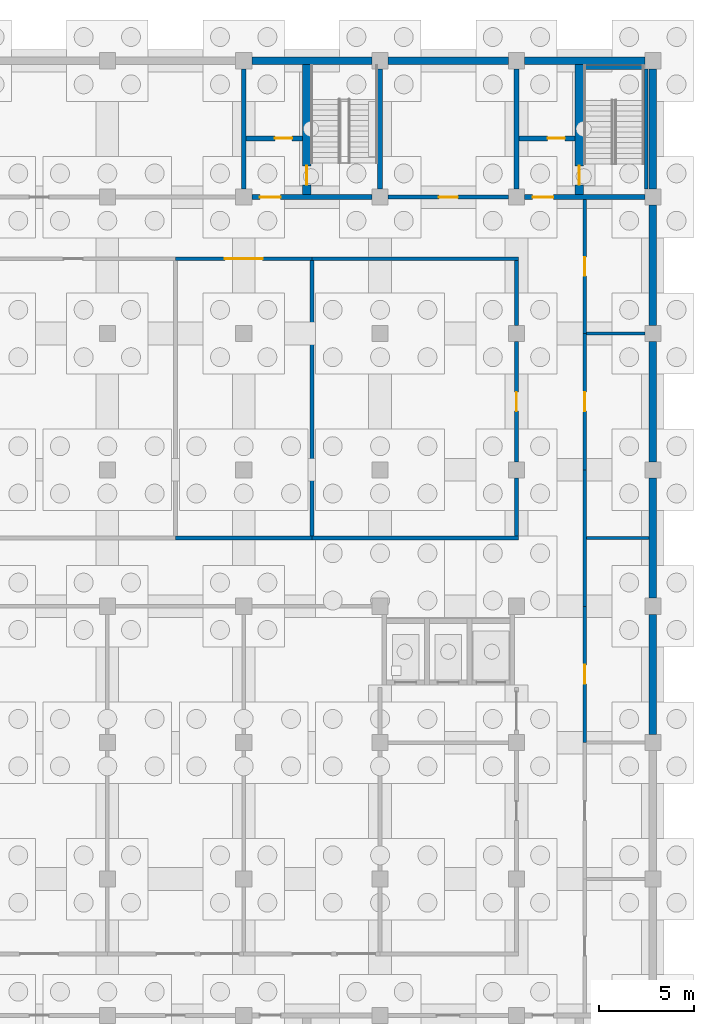
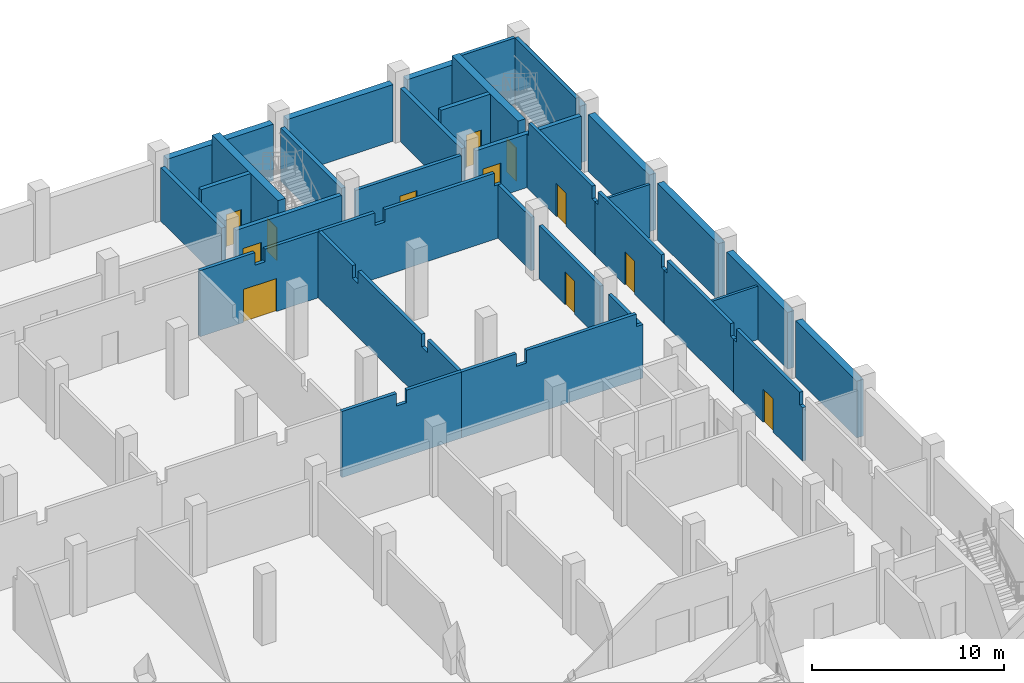
# One storey, part 13 of 19: 34 walls, 12 doors, 12 openings.
"""IFC4 building model written with IfcOpenShell, lengths in metres."""

from ifc_helpers import new_model, si_unit, direction, frame, frame_2d, origin, place, context, subcontext, project, spatial, polyline, rectangle, outline, extrude, material, layer, layer_set, type_object, element, fill, save


model = new_model("IFC4")

# Units and contexts
model_context = context("Model", 3, precision=1e-05, world=origin(), true_north=direction((0.0, 1.0)))
body_context = subcontext(model_context, "Body", "Model", "MODEL_VIEW")
ifc_project = project(units=[si_unit("LENGTHUNIT", "METRE"), si_unit("AREAUNIT", "SQUARE_METRE"), si_unit("VOLUMEUNIT", "CUBIC_METRE"), si_unit("PLANEANGLEUNIT", "RADIAN"), si_unit("MASSUNIT", "GRAM", prefix="KILO")], contexts=[model_context])

# Site, building, storey
site_placement = place(None, origin())
site = spatial("IfcSite", under=ifc_project, at=site_placement, CompositionType="ELEMENT")
building_placement = place(site_placement, origin())
building = spatial("IfcBuilding", under=site, at=building_placement, Name="Silangan Lancet Faculty of Sciences", CompositionType="ELEMENT")
storey_placement = place(building_placement, frame((0.0, 0.0, -4.5)))
storey = spatial("IfcBuildingStorey", under=building, at=storey_placement, Name="B1", CompositionType="ELEMENT", Elevation=-4.5)

# Walls
ifc_material_1 = material(Name="Hollow block masonry fm 7 MPa", Category="masonry")
ifc_layer_1 = layer(ifc_material_1, 0.199951171875)
ifc_layer_set_1 = layer_set([ifc_layer_1], Name="Hollow block masonry fm 7 MPa")
wall_type_1 = type_object("IfcWallType", Name="Interior wall PW1 Corridor wall CHB 200", PredefinedType="PARTITIONING", material=ifc_layer_set_1)
for number, where, z_axis, x_axis, name in (
    (1, (68.39990234375, 32.39990234375, 0.0), (0.0, 0.0, 1.0), (1.0, 0.0, 0.0), "Corridor wall CHB 200"),
    (2, (68.39990234375, 47.14990234375, 0.0), (0.0, 0.0, 1.0), (1.0, 0.0, 0.0), "Corridor wall CHB 200"),
):
    element("IfcWall", number, at=place(storey_placement, frame(where, z_axis=z_axis, x_axis=x_axis)), inside=storey, type_object=wall_type_1, Name=name, PredefinedType="PARTITIONING", context=body_context, shape_type="SweptSolid", body=[
        extrude(outline(polyline([(0.0, 0.0), (10.900146484375, 0.0), (10.900146484375, 3.39990234375), (10.5, 3.39990234375), (10.5, 4.199951171875), (3.900146484375, 4.199951171875), (3.900146484375, 3.39990234375), (3.300048828125, 3.39990234375), (3.300048828125, 4.199951171875), (0.0, 4.199951171875), (0.0, 0.0)])), frame((0.0, 0.10009765625, 0.0), z_axis=(0.0, -1.0, 0.0), x_axis=(1.0, 0.0, 0.0)), (0.0, 0.0, 1.0), 0.199951171875),
    ])

# Wall, opening, door
wall_1_placement = place(storey_placement, frame((72.425048828125, 50.39990234375, 0.0), z_axis=(0.0, 0.0, 1.0), x_axis=(1.0, 0.0, 0.0)))
wall_1 = element("IfcWall", 3, at=wall_1_placement, inside=storey, type_object=wall_type_1, Name="Corridor wall CHB 200", PredefinedType="PARTITIONING", context=body_context, shape_type="SweptSolid", body=[
    extrude(rectangle(XDim=6.349853515625, YDim=0.199951171875, at=frame_2d((3.1748046875, 0.0))), origin(), (0.0, 0.0, 1.0), 3.39990234375),
])
opening_1_placement = place(wall_1_placement, frame((2.675048828125, 0.0, 0.0)))
opening_1 = element("IfcOpeningElement", 4, at=opening_1_placement, cuts=wall_1, Name="Opening B1-043", PredefinedType="OPENING", context=body_context, shape_type="SweptSolid", body=[
    extrude(rectangle(XDim=1.0, YDim=2.10009765625, at=frame_2d((0.5, 1.050048828125))), frame((0.0, 0.10986328125, 0.0), z_axis=(0.0, -1.0, 0.0), x_axis=(1.0, 0.0, 0.0)), (0.0, 0.0, 1.0), 0.219970703125),
])
ifc_material_2 = material(Name="Steel fire door set", Category="steel")
door_type_1 = type_object("IfcDoorType", Name="Door D1 Single leaf fire door 1000 x 2100", OperationType="SINGLE_SWING_LEFT", PredefinedType="DOOR", material=ifc_material_2)
door_1_placement = place(opening_1_placement, origin())
door_1 = element("IfcDoor", 5, at=door_1_placement, inside=storey, type_object=door_type_1, Name="Single leaf fire door 1000 x 2100", OperationType="SINGLE_SWING_LEFT", OverallHeight=2.10009765625, OverallWidth=1.0, PredefinedType="DOOR", context=body_context, shape_type="SweptSolid", body=[
    extrude(rectangle(XDim=1.0, YDim=2.10009765625, at=frame_2d((0.5, 1.050048828125))), frame((0.0, 0.02490234375, 0.0), z_axis=(0.0, -1.0, 0.0), x_axis=(1.0, 0.0, 0.0)), (0.0, 0.0, 1.0), 0.050048828125),
])
fill(opening_1, door_1)

# Wall
wall_2_placement = place(storey_placement, frame((79.199951171875, 32.5, 0.0), z_axis=(0.0, 0.0, 1.0), x_axis=(0.0, 1.0, 0.0)))
element("IfcWall", 6, at=wall_2_placement, inside=storey, type_object=wall_type_1, Name="Corridor wall CHB 200", PredefinedType="PARTITIONING", context=body_context, shape_type="SweptSolid", body=[
    extrude(rectangle(XDim=3.074951171875, YDim=0.199951171875, at=frame_2d((1.53759765625, 0.0))), origin(), (0.0, 0.0, 1.0), 3.39990234375),
])

# Wall, opening, door
wall_3_placement = place(storey_placement, frame((79.199951171875, 36.425048828125, 0.0), z_axis=(0.0, 0.0, 1.0), x_axis=(0.0, 1.0, 0.0)))
wall_3 = element("IfcWall", 7, at=wall_3_placement, inside=storey, type_object=wall_type_1, Name="Corridor wall CHB 200", PredefinedType="PARTITIONING", context=body_context, shape_type="SweptSolid", body=[
    extrude(rectangle(XDim=6.349853515625, YDim=0.199951171875, at=frame_2d((3.1748046875, 0.0))), origin(), (0.0, 0.0, 1.0), 3.39990234375),
])
opening_2_placement = place(wall_3_placement, frame((2.675048828125, 0.0, 0.0)))
opening_2 = element("IfcOpeningElement", 8, at=opening_2_placement, cuts=wall_3, Name="Opening B1-030", PredefinedType="OPENING", context=body_context, shape_type="SweptSolid", body=[
    extrude(rectangle(XDim=1.0, YDim=2.10009765625, at=frame_2d((0.5, 1.050048828125))), frame((0.0, 0.10986328125, 0.0), z_axis=(0.0, -1.0, 0.0), x_axis=(1.0, 0.0, 0.0)), (0.0, 0.0, 1.0), 0.219970703125),
])
door_2_placement = place(opening_2_placement, origin())
door_2 = element("IfcDoor", 9, at=door_2_placement, inside=storey, type_object=door_type_1, Name="Single leaf fire door 1000 x 2100", OperationType="SINGLE_SWING_RIGHT", OverallHeight=2.10009765625, OverallWidth=1.0, PredefinedType="DOOR", context=body_context, shape_type="SweptSolid", body=[
    extrude(rectangle(XDim=1.0, YDim=2.10009765625, at=frame_2d((0.5, 1.050048828125))), frame((0.0, 0.02490234375, 0.0), z_axis=(0.0, -1.0, 0.0), x_axis=(1.0, 0.0, 0.0)), (0.0, 0.0, 1.0), 0.050048828125),
])
fill(opening_2, door_2)

# Wall
wall_4_placement = place(storey_placement, frame((79.199951171875, 43.625, 0.0), z_axis=(0.0, 0.0, 1.0), x_axis=(0.0, 1.0, 0.0)))
element("IfcWall", 10, at=wall_4_placement, inside=storey, type_object=wall_type_1, Name="Corridor wall CHB 200", PredefinedType="PARTITIONING", context=body_context, shape_type="SweptSolid", body=[
    extrude(rectangle(XDim=3.425048828125, YDim=0.199951171875, at=frame_2d((1.71240234375, 0.0))), origin(), (0.0, 0.0, 1.0), 3.39990234375),
])

# Wall, opening, door
wall_5_placement = place(storey_placement, frame((82.800048828125, 21.60009765625, 0.0), z_axis=(0.0, 0.0, 1.0), x_axis=(0.0, 1.0, 0.0)))
wall_5 = element("IfcWall", 11, at=wall_5_placement, inside=storey, type_object=wall_type_1, Name="Corridor wall CHB 200", PredefinedType="PARTITIONING", context=body_context, shape_type="SweptSolid", body=[
    extrude(outline(polyline([(0.0, 0.0), (7.199951171875, 0.0), (7.199951171875, 3.39990234375), (6.89990234375, 3.39990234375), (6.89990234375, 4.199951171875), (0.2998046875, 4.199951171875), (0.2998046875, 3.39990234375), (0.0, 3.39990234375), (0.0, 0.0)])), frame((0.0, 0.10009765625, 0.0), z_axis=(0.0, -1.0, 0.0), x_axis=(1.0, 0.0, 0.0)), (0.0, 0.0, 1.0), 0.199951171875),
])
opening_3_placement = place(wall_5_placement, frame((3.10009765625, 0.0, 0.0)))
opening_3 = element("IfcOpeningElement", 12, at=opening_3_placement, cuts=wall_5, Name="Opening B1-046", PredefinedType="OPENING", context=body_context, shape_type="SweptSolid", body=[
    extrude(rectangle(XDim=1.0, YDim=2.10009765625, at=frame_2d((0.5, 1.050048828125))), frame((0.0, 0.10986328125, 0.0), z_axis=(0.0, -1.0, 0.0), x_axis=(1.0, 0.0, 0.0)), (0.0, 0.0, 1.0), 0.219970703125),
])
door_3_placement = place(opening_3_placement, frame((1.0, 0.0, 0.0), z_axis=(0.0, 0.0, 1.0), x_axis=(-1.0, 0.0, 0.0)))
door_3 = element("IfcDoor", 13, at=door_3_placement, inside=storey, type_object=door_type_1, Name="Single leaf fire door 1000 x 2100", OperationType="SINGLE_SWING_LEFT", OverallHeight=2.10009765625, OverallWidth=1.0, PredefinedType="DOOR", context=body_context, shape_type="SweptSolid", body=[
    extrude(rectangle(XDim=1.0, YDim=2.10009765625, at=frame_2d((0.5, 1.050048828125))), frame((0.0, 0.025146484375, 0.0), z_axis=(0.0, -1.0, 0.0), x_axis=(1.0, 0.0, 0.0)), (0.0, 0.0, 1.0), 0.050048828125),
])
fill(opening_3, door_3)

# Wall
wall_6_placement = place(storey_placement, frame((82.800048828125, 28.800048828125, 0.0), z_axis=(0.0, 0.0, 1.0), x_axis=(0.0, 1.0, 0.0)))
element("IfcWall", 14, at=wall_6_placement, inside=storey, type_object=wall_type_1, Name="Corridor wall CHB 200", PredefinedType="PARTITIONING", context=body_context, shape_type="SweptSolid", body=[
    extrude(outline(polyline([(0.0, 0.0), (7.199951171875, 0.0), (7.199951171875, 3.39990234375), (6.89990234375, 3.39990234375), (6.89990234375, 4.199951171875), (0.300048828125, 4.199951171875), (0.300048828125, 3.39990234375), (0.0, 3.39990234375), (0.0, 0.0)])), frame((0.0, 0.10009765625, 0.0), z_axis=(0.0, -1.0, 0.0), x_axis=(1.0, 0.0, 0.0)), (0.0, 0.0, 1.0), 0.199951171875),
])

# Wall, opening, door
wall_7_placement = place(storey_placement, frame((82.800048828125, 36.0, 0.0), z_axis=(0.0, 0.0, 1.0), x_axis=(0.0, 1.0, 0.0)))
wall_7 = element("IfcWall", 15, at=wall_7_placement, inside=storey, type_object=wall_type_1, Name="Corridor wall CHB 200", PredefinedType="PARTITIONING", context=body_context, shape_type="SweptSolid", body=[
    extrude(outline(polyline([(0.0, 0.0), (7.199951171875, 0.0), (7.199951171875, 3.39990234375), (6.89990234375, 3.39990234375), (6.89990234375, 4.199951171875), (0.300048828125, 4.199951171875), (0.300048828125, 3.39990234375), (0.0, 3.39990234375), (0.0, 0.0)])), frame((0.0, 0.10009765625, 0.0), z_axis=(0.0, -1.0, 0.0), x_axis=(1.0, 0.0, 0.0)), (0.0, 0.0, 1.0), 0.199951171875),
])
opening_4_placement = place(wall_7_placement, frame((3.10009765625, 0.0, 0.0)))
opening_4 = element("IfcOpeningElement", 16, at=opening_4_placement, cuts=wall_7, Name="Opening B1-047", PredefinedType="OPENING", context=body_context, shape_type="SweptSolid", body=[
    extrude(rectangle(XDim=1.0, YDim=2.10009765625, at=frame_2d((0.5, 1.050048828125))), frame((0.0, 0.10986328125, 0.0), z_axis=(0.0, -1.0, 0.0), x_axis=(1.0, 0.0, 0.0)), (0.0, 0.0, 1.0), 0.219970703125),
])
door_4_placement = place(opening_4_placement, frame((1.0, 0.0, 0.0), z_axis=(0.0, 0.0, 1.0), x_axis=(-1.0, 0.0, 0.0)))
door_4 = element("IfcDoor", 17, at=door_4_placement, inside=storey, type_object=door_type_1, Name="Single leaf fire door 1000 x 2100", OperationType="SINGLE_SWING_RIGHT", OverallHeight=2.10009765625, OverallWidth=1.0, PredefinedType="DOOR", context=body_context, shape_type="SweptSolid", body=[
    extrude(rectangle(XDim=1.0, YDim=2.10009765625, at=frame_2d((0.5, 1.050048828125))), frame((0.0, 0.025146484375, 0.0), z_axis=(0.0, -1.0, 0.0), x_axis=(1.0, 0.0, 0.0)), (0.0, 0.0, 1.0), 0.050048828125),
])
fill(opening_4, door_4)

wall_8_placement = place(storey_placement, frame((82.800048828125, 43.199951171875, 0.0), z_axis=(0.0, 0.0, 1.0), x_axis=(0.0, 1.0, 0.0)))
wall_8 = element("IfcWall", 18, at=wall_8_placement, inside=storey, type_object=wall_type_1, Name="Corridor wall CHB 200", PredefinedType="PARTITIONING", context=body_context, shape_type="SweptSolid", body=[
    extrude(outline(polyline([(0.0, 0.0), (7.074951171875, 0.0), (7.074951171875, 3.39990234375), (6.89990234375, 3.39990234375), (6.89990234375, 4.199951171875), (0.300048828125, 4.199951171875), (0.300048828125, 3.39990234375), (0.0, 3.39990234375), (0.0, 0.0)])), frame((0.0, 0.10009765625, 0.0), z_axis=(0.0, -1.0, 0.0), x_axis=(1.0, 0.0, 0.0)), (0.0, 0.0, 1.0), 0.199951171875),
])
opening_5_placement = place(wall_8_placement, frame((3.03759765625, 0.0, 0.0)))
opening_5 = element("IfcOpeningElement", 19, at=opening_5_placement, cuts=wall_8, Name="Opening B1-048", PredefinedType="OPENING", context=body_context, shape_type="SweptSolid", body=[
    extrude(rectangle(XDim=1.0, YDim=2.10009765625, at=frame_2d((0.5, 1.050048828125))), frame((0.0, 0.10986328125, 0.0), z_axis=(0.0, -1.0, 0.0), x_axis=(1.0, 0.0, 0.0)), (0.0, 0.0, 1.0), 0.219970703125),
])
door_5_placement = place(opening_5_placement, frame((1.0, 0.0, 0.0), z_axis=(0.0, 0.0, 1.0), x_axis=(-1.0, 0.0, 0.0)))
door_5 = element("IfcDoor", 20, at=door_5_placement, inside=storey, type_object=door_type_1, Name="Single leaf fire door 1000 x 2100", OperationType="SINGLE_SWING_LEFT", OverallHeight=2.10009765625, OverallWidth=1.0, PredefinedType="DOOR", context=body_context, shape_type="SweptSolid", body=[
    extrude(rectangle(XDim=1.0, YDim=2.10009765625, at=frame_2d((0.5, 1.050048828125))), frame((0.0, 0.025146484375, 0.0), z_axis=(0.0, -1.0, 0.0), x_axis=(1.0, 0.0, 0.0)), (0.0, 0.0, 1.0), 0.050048828125),
])
fill(opening_5, door_5)

# Walls
ifc_material_3 = material(Name="Hollow block masonry fm 7 MPa", Category="masonry")
ifc_layer_2 = layer(ifc_material_3, 0.14990234375)
ifc_layer_set_2 = layer_set([ifc_layer_2], Name="Hollow block masonry fm 7 MPa")
wall_type_2 = type_object("IfcWallType", Name="Interior wall PW3 Partition CHB 150", PredefinedType="PARTITIONING", material=ifc_layer_set_2)
wall_9_placement = place(storey_placement, frame((82.89990234375, 32.39990234375, 0.0), z_axis=(0.0, 0.0, 1.0), x_axis=(1.0, 0.0, 0.0)))
element("IfcWall", 21, at=wall_9_placement, inside=storey, type_object=wall_type_2, Name="Partition CHB 150", PredefinedType="PARTITIONING", context=body_context, shape_type="SweptSolid", body=[
    extrude(rectangle(XDim=3.300048828125, YDim=0.14990234375, at=frame_2d((1.64990234375, 0.0))), origin(), (0.0, 0.0, 1.0), 3.39990234375),
])
wall_10_placement = place(storey_placement, frame((82.89990234375, 43.199951171875, 0.0), z_axis=(0.0, 0.0, 1.0), x_axis=(1.0, 0.0, 0.0)))
element("IfcWall", 22, at=wall_10_placement, inside=storey, type_object=wall_type_2, Name="Partition CHB 150", PredefinedType="PARTITIONING", context=body_context, shape_type="SweptSolid", body=[
    extrude(rectangle(XDim=3.0751953125, YDim=0.14990234375, at=frame_2d((1.53759765625, 0.0))), origin(), (0.0, 0.0, 1.0), 3.39990234375),
])
ifc_material_4 = material(Name="Hollow block masonry fm 7 MPa", Category="masonry")
ifc_layer_3 = layer(ifc_material_4, 0.199951171875)
ifc_layer_set_3 = layer_set([ifc_layer_3], Name="Hollow block masonry fm 7 MPa")
wall_type_3 = type_object("IfcWallType", Name="Interior wall PW6 Plant room wall CHB 200", PredefinedType="PARTITIONING", material=ifc_layer_set_3)
wall_11_placement = place(storey_placement, frame((61.199951171875, 32.39990234375, 0.0), z_axis=(0.0, 0.0, 1.0), x_axis=(1.0, 0.0, 0.0)))
element("IfcWall", 23, at=wall_11_placement, inside=storey, type_object=wall_type_3, Name="Plant room wall CHB 200", PredefinedType="PARTITIONING", context=body_context, shape_type="SweptSolid", body=[
    extrude(outline(polyline([(0.0, 0.0), (7.199951171875, 0.0), (7.199951171875, 4.199951171875), (3.89990234375, 4.199951171875), (3.89990234375, 3.39990234375), (3.300048828125, 3.39990234375), (3.300048828125, 4.199951171875), (0.0, 4.199951171875), (0.0, 0.0)])), frame((0.0, 0.10009765625, 0.0), z_axis=(0.0, -1.0, 0.0), x_axis=(1.0, 0.0, 0.0)), (0.0, 0.0, 1.0), 0.199951171875),
])

# Wall, opening, door
wall_12_placement = place(storey_placement, frame((61.199951171875, 47.14990234375, 0.0), z_axis=(0.0, 0.0, 1.0), x_axis=(1.0, 0.0, 0.0)))
wall_12 = element("IfcWall", 24, at=wall_12_placement, inside=storey, type_object=wall_type_3, Name="Plant room wall CHB 200", PredefinedType="PARTITIONING", context=body_context, shape_type="SweptSolid", body=[
    extrude(outline(polyline([(0.0, 0.0), (7.199951171875, 0.0), (7.199951171875, 4.199951171875), (3.89990234375, 4.199951171875), (3.89990234375, 3.39990234375), (3.300048828125, 3.39990234375), (3.300048828125, 4.199951171875), (0.0, 4.199951171875), (0.0, 0.0)])), frame((0.0, 0.10009765625, 0.0), z_axis=(0.0, -1.0, 0.0), x_axis=(1.0, 0.0, 0.0)), (0.0, 0.0, 1.0), 0.199951171875),
])
opening_6_placement = place(wall_12_placement, frame((2.60009765625, 0.0, 0.0)))
opening_6 = element("IfcOpeningElement", 25, at=opening_6_placement, cuts=wall_12, Name="Opening B1-029", PredefinedType="OPENING", context=body_context, shape_type="SweptSolid", body=[
    extrude(rectangle(XDim=2.0, YDim=2.10009765625, at=frame_2d((1.0, 1.050048828125))), frame((0.0, 0.10986328125, 0.0), z_axis=(0.0, -1.0, 0.0), x_axis=(1.0, 0.0, 0.0)), (0.0, 0.0, 1.0), 0.219970703125),
])
ifc_material_5 = material(Name="Steel fire door set", Category="steel")
door_type_2 = type_object("IfcDoorType", Name="Door D8 Plant room double door 2000 x 2100", OperationType="DOUBLE_DOOR_SINGLE_SWING", PredefinedType="DOOR", material=ifc_material_5)
door_6_placement = place(opening_6_placement, origin())
door_6 = element("IfcDoor", 26, at=door_6_placement, inside=storey, type_object=door_type_2, Name="Plant room double door 2000 x 2100", OperationType="DOUBLE_DOOR_SINGLE_SWING", OverallHeight=2.10009765625, OverallWidth=2.0, PredefinedType="DOOR", context=body_context, shape_type="SweptSolid", body=[
    extrude(rectangle(XDim=2.0, YDim=2.10009765625, at=frame_2d((1.0, 1.050048828125))), frame((0.0, 0.02490234375, 0.0), z_axis=(0.0, -1.0, 0.0), x_axis=(1.0, 0.0, 0.0)), (0.0, 0.0, 1.0), 0.050048828125),
])
fill(opening_6, door_6)

# Walls
wall_13_placement = place(storey_placement, frame((68.39990234375, 32.5, 0.0), z_axis=(0.0, 0.0, 1.0), x_axis=(0.0, 1.0, 0.0)))
element("IfcWall", 27, at=wall_13_placement, inside=storey, type_object=wall_type_3, Name="Plant room wall CHB 200", PredefinedType="PARTITIONING", context=body_context, shape_type="SweptSolid", body=[
    extrude(outline(polyline([(0.0, 0.0), (14.550048828125, 0.0), (14.550048828125, 4.199951171875), (11.0, 4.199951171875), (11.0, 3.39990234375), (10.39990234375, 3.39990234375), (10.39990234375, 4.199951171875), (3.800048828125, 4.199951171875), (3.800048828125, 3.39990234375), (3.199951171875, 3.39990234375), (3.199951171875, 4.199951171875), (0.0, 4.199951171875), (0.0, 0.0)])), frame((0.0, 0.10009765625, 0.0), z_axis=(0.0, -1.0, 0.0), x_axis=(1.0, 0.0, 0.0)), (0.0, 0.0, 1.0), 0.199951171875),
])
ifc_material_6 = material(Name="Concrete C35/45", Category="concrete")
ifc_layer_4 = layer(ifc_material_6, 0.39990234375)
ifc_layer_set_4 = layer_set([ifc_layer_4], Name="Concrete C35/45")
wall_type_4 = type_object("IfcWallType", Name="RW1 Basement retaining wall", PredefinedType="SOLIDWALL", material=ifc_layer_set_4)
wall_14_placement = place(storey_placement, frame((86.39990234375, 22.02490234375, 0.0), z_axis=(0.0, 0.0, 1.0), x_axis=(0.0, 1.0, 0.0)))
element("IfcWall", 28, at=wall_14_placement, inside=storey, type_object=wall_type_4, Name="RW-B1-E-03", PredefinedType="SOLIDWALL", context=body_context, shape_type="SweptSolid", body=[
    extrude(rectangle(XDim=6.35009765625, YDim=0.39990234375, at=frame_2d((3.175048828125, 0.0))), origin(), (0.0, 0.0, 1.0), 3.60009765625),
])
for number, where, z_axis, x_axis, name in (
    (29, (86.39990234375, 29.22509765625, 0.0), (0.0, 0.0, 1.0), (0.0, 1.0, 0.0), "RW-B1-E-04"),
    (30, (86.39990234375, 36.425048828125, 0.0), (0.0, 0.0, 1.0), (0.0, 1.0, 0.0), "RW-B1-E-05"),
):
    element("IfcWall", number, at=place(storey_placement, frame(where, z_axis=z_axis, x_axis=x_axis)), inside=storey, type_object=wall_type_4, Name=name, PredefinedType="SOLIDWALL", context=body_context, shape_type="SweptSolid", body=[
        extrude(rectangle(XDim=6.349853515625, YDim=0.39990234375, at=frame_2d((3.1748046875, 0.0))), origin(), (0.0, 0.0, 1.0), 3.60009765625),
    ])
for number, where, z_axis, x_axis, name in (
    (31, (86.39990234375, 43.625, 0.0), (0.0, 0.0, 1.0), (0.0, 1.0, 0.0), "RW-B1-E-06"),
    (32, (86.39990234375, 50.824951171875, 0.0), (0.0, 0.0, 1.0), (0.0, 1.0, 0.0), "RW-B1-E-07"),
    (33, (85.97509765625, 57.60009765625, 0.0), (0.0, 0.0, 1.0), (-1.0, 0.0, 0.0), "RW-B1-N-00"),
):
    element("IfcWall", number, at=place(storey_placement, frame(where, z_axis=z_axis, x_axis=x_axis)), inside=storey, type_object=wall_type_4, Name=name, PredefinedType="SOLIDWALL", context=body_context, shape_type="SweptSolid", body=[
        extrude(rectangle(XDim=6.35009765625, YDim=0.39990234375, at=frame_2d((3.175048828125, 0.0))), origin(), (0.0, 0.0, 1.0), 3.60009765625),
    ])
for number, where, z_axis, x_axis, name in (
    (34, (78.77490234375, 57.60009765625, 0.0), (0.0, 0.0, 1.0), (-1.0, 0.0, 0.0), "RW-B1-N-01"),
    (35, (71.574951171875, 57.60009765625, 0.0), (0.0, 0.0, 1.0), (-1.0, 0.0, 0.0), "RW-B1-N-02"),
):
    element("IfcWall", number, at=place(storey_placement, frame(where, z_axis=z_axis, x_axis=x_axis)), inside=storey, type_object=wall_type_4, Name=name, PredefinedType="SOLIDWALL", context=body_context, shape_type="SweptSolid", body=[
        extrude(rectangle(XDim=6.349853515625, YDim=0.39990234375, at=frame_2d((3.1748046875, 0.0))), origin(), (0.0, 0.0, 1.0), 3.60009765625),
    ])

# Wall, opening, door
ifc_material_7 = material(Name="Concrete C40/50", Category="concrete")
ifc_layer_5 = layer(ifc_material_7, 0.449951171875)
ifc_layer_set_5 = layer_set([ifc_layer_5], Name="Concrete C40/50")
wall_type_5 = type_object("IfcWallType", Name="TURRET CORE WALL RC 450", PredefinedType="SHEAR", material=ifc_layer_set_5)
wall_15_placement = place(storey_placement, frame((82.52490234375, 50.52490234375, 0.0), z_axis=(0.0, 0.0, 1.0), x_axis=(0.0, 1.0, 0.0)))
wall_15 = element("IfcWall", 36, at=wall_15_placement, inside=storey, type_object=wall_type_5, Name="WALL-B1-EB-B-WELL", PredefinedType="SHEAR", context=body_context, shape_type="SweptSolid", body=[
    extrude(rectangle(XDim=6.875, YDim=0.449951171875, at=frame_2d((3.4375, 0.0))), origin(), (0.0, 0.0, 1.0), 4.199951171875),
])
opening_7_placement = place(wall_15_placement, frame((0.52490234375, 0.0, 0.0)))
opening_7 = element("IfcOpeningElement", 37, at=opening_7_placement, cuts=wall_15, Name="Opening B1-704", PredefinedType="OPENING", context=body_context, shape_type="SweptSolid", body=[
    extrude(rectangle(XDim=1.0, YDim=2.10009765625, at=frame_2d((0.5, 1.050048828125))), frame((0.0, 0.23486328125, 0.0), z_axis=(0.0, -1.0, 0.0), x_axis=(1.0, 0.0, 0.0)), (0.0, 0.0, 1.0), 0.469970703125),
])
ifc_material_8 = material(Name="Steel fire door set", Category="steel")
door_type_3 = type_object("IfcDoorType", Name="D71 Stair enclosure door 1000x2100", OperationType="SINGLE_SWING_LEFT", PredefinedType="DOOR", material=ifc_material_8)
door_7_placement = place(opening_7_placement, frame((1.0, 0.0, 0.0), z_axis=(0.0, 0.0, 1.0), x_axis=(-1.0, 0.0, 0.0)))
door_7 = element("IfcDoor", 38, at=door_7_placement, inside=storey, type_object=door_type_3, Name="Stair enclosure door EB-B B1", OperationType="SINGLE_SWING_RIGHT", OverallHeight=2.10009765625, OverallWidth=1.0, PredefinedType="DOOR", context=body_context, shape_type="SweptSolid", body=[
    extrude(rectangle(XDim=1.0, YDim=2.10009765625, at=frame_2d((0.5, 1.050048828125))), frame((0.0, 0.025146484375, 0.0), z_axis=(0.0, -1.0, 0.0), x_axis=(1.0, 0.0, 0.0)), (0.0, 0.0, 1.0), 0.050048828125),
])
fill(opening_7, door_7)

wall_16_placement = place(storey_placement, frame((68.125, 50.52490234375, 0.0), z_axis=(0.0, 0.0, 1.0), x_axis=(0.0, 1.0, 0.0)))
wall_16 = element("IfcWall", 39, at=wall_16_placement, inside=storey, type_object=wall_type_5, Name="WALL-B1-NAB-B-WELL", PredefinedType="SHEAR", context=body_context, shape_type="SweptSolid", body=[
    extrude(rectangle(XDim=6.875, YDim=0.449951171875, at=frame_2d((3.4375, 0.0))), origin(), (0.0, 0.0, 1.0), 4.199951171875),
])
opening_8_placement = place(wall_16_placement, frame((0.52490234375, 0.0, 0.0)))
opening_8 = element("IfcOpeningElement", 40, at=opening_8_placement, cuts=wall_16, Name="Opening B1-710", PredefinedType="OPENING", context=body_context, shape_type="SweptSolid", body=[
    extrude(rectangle(XDim=1.0, YDim=2.10009765625, at=frame_2d((0.5, 1.050048828125))), frame((0.0, 0.23486328125, 0.0), z_axis=(0.0, -1.0, 0.0), x_axis=(1.0, 0.0, 0.0)), (0.0, 0.0, 1.0), 0.469970703125),
])
door_8_placement = place(opening_8_placement, frame((1.0, 0.0, 0.0), z_axis=(0.0, 0.0, 1.0), x_axis=(-1.0, 0.0, 0.0)))
door_8 = element("IfcDoor", 41, at=door_8_placement, inside=storey, type_object=door_type_3, Name="Stair enclosure door NAB-B B1", OperationType="SINGLE_SWING_RIGHT", OverallHeight=2.10009765625, OverallWidth=1.0, PredefinedType="DOOR", context=body_context, shape_type="SweptSolid", body=[
    extrude(rectangle(XDim=1.0, YDim=2.10009765625, at=frame_2d((0.5, 1.050048828125))), frame((0.0, 0.025146484375, 0.0), z_axis=(0.0, -1.0, 0.0), x_axis=(1.0, 0.0, 0.0)), (0.0, 0.0, 1.0), 0.050048828125),
])
fill(opening_8, door_8)

# Walls
ifc_material_9 = material(Name="Concrete C40/50", Category="concrete")
ifc_layer_6 = layer(ifc_material_9, 0.199951171875)
ifc_layer_set_6 = layer_set([ifc_layer_6], Name="Concrete C40/50")
wall_type_6 = type_object("IfcWallType", Name="TURRET LINING WALL RC 200", PredefinedType="SHEAR", material=ifc_layer_set_6)
wall_17_placement = place(storey_placement, frame((86.050048828125, 50.824951171875, 0.0), z_axis=(0.0, 0.0, 1.0), x_axis=(0.0, 1.0, 0.0)))
element("IfcWall", 42, at=wall_17_placement, inside=storey, type_object=wall_type_6, Name="WALL-B1-EB-B-WL", PredefinedType="SHEAR", context=body_context, shape_type="SweptSolid", body=[
    extrude(rectangle(XDim=6.35009765625, YDim=0.199951171875, at=frame_2d((3.175048828125, 0.0))), origin(), (0.0, 0.0, 1.0), 4.199951171875),
])
wall_18_placement = place(storey_placement, frame((82.75, 57.25, 0.0), z_axis=(0.0, 0.0, 1.0), x_axis=(1.0, 0.0, 0.0)))
element("IfcWall", 43, at=wall_18_placement, inside=storey, type_object=wall_type_6, Name="WALL-B1-EB-B-WLD", PredefinedType="SHEAR", context=body_context, shape_type="SweptSolid", body=[
    extrude(rectangle(XDim=3.199951171875, YDim=0.199951171875, at=frame_2d((1.60009765625, 0.0))), origin(), (0.0, 0.0, 1.0), 4.199951171875),
])

# Wall, opening, door
ifc_material_10 = material(Name="Concrete C40/50", Category="concrete")
ifc_layer_7 = layer(ifc_material_10, 0.25)
ifc_layer_set_7 = layer_set([ifc_layer_7], Name="Concrete C40/50")
wall_type_7 = type_object("IfcWallType", Name="TURRET WALL RC 250", PredefinedType="SHEAR", material=ifc_layer_set_7)
wall_19_placement = place(storey_placement, frame((79.625, 50.39990234375, 0.0), z_axis=(0.0, 0.0, 1.0), x_axis=(1.0, 0.0, 0.0)))
wall_19 = element("IfcWall", 44, at=wall_19_placement, inside=storey, type_object=wall_type_7, Name="WALL-B1-EB-B-V", PredefinedType="SHEAR", context=body_context, shape_type="SweptSolid", body=[
    extrude(rectangle(XDim=6.35009765625, YDim=0.25, at=frame_2d((3.175048828125, 0.0))), origin(), (0.0, 0.0, 1.0), 3.39990234375),
])
opening_9_placement = place(wall_19_placement, frame((0.425048828125, 0.0, 0.0)))
opening_9 = element("IfcOpeningElement", 45, at=opening_9_placement, cuts=wall_19, Name="Opening B1-705", PredefinedType="OPENING", context=body_context, shape_type="SweptSolid", body=[
    extrude(rectangle(XDim=1.10009765625, YDim=2.10009765625, at=frame_2d((0.550048828125, 1.050048828125))), frame((0.0, 0.135009765625, 0.0), z_axis=(0.0, -1.0, 0.0), x_axis=(1.0, 0.0, 0.0)), (0.0, 0.0, 1.0), 0.27001953125),
])
ifc_material_11 = material(Name="Steel fire door set", Category="steel")
door_type_4 = type_object("IfcDoorType", Name="D70 Stair vestibule door 1100x2100", OperationType="SINGLE_SWING_LEFT", PredefinedType="DOOR", material=ifc_material_11)
door_9_placement = place(opening_9_placement, origin())
door_9 = element("IfcDoor", 46, at=door_9_placement, inside=storey, type_object=door_type_4, Name="Stair vestibule door EB-B B1", OperationType="SINGLE_SWING_LEFT", OverallHeight=2.10009765625, OverallWidth=1.10009765625, PredefinedType="DOOR", context=body_context, shape_type="SweptSolid", body=[
    extrude(rectangle(XDim=1.10009765625, YDim=2.10009765625, at=frame_2d((0.550048828125, 1.050048828125))), frame((0.0, 0.02490234375, 0.0), z_axis=(0.0, -1.0, 0.0), x_axis=(1.0, 0.0, 0.0)), (0.0, 0.0, 1.0), 0.050048828125),
])
fill(opening_9, door_9)

# Wall
wall_20_placement = place(storey_placement, frame((79.199951171875, 50.824951171875, 0.0), z_axis=(0.0, 0.0, 1.0), x_axis=(0.0, 1.0, 0.0)))
element("IfcWall", 47, at=wall_20_placement, inside=storey, type_object=wall_type_7, Name="WALL-B1-EB-B-O", PredefinedType="SHEAR", context=body_context, shape_type="SweptSolid", body=[
    extrude(rectangle(XDim=6.35009765625, YDim=0.25, at=frame_2d((3.175048828125, 0.0))), origin(), (0.0, 0.0, 1.0), 3.39990234375),
])

# Wall, opening, door
wall_21_placement = place(storey_placement, frame((79.324951171875, 53.5, 0.0), z_axis=(0.0, 0.0, 1.0), x_axis=(1.0, 0.0, 0.0)))
wall_21 = element("IfcWall", 48, at=wall_21_placement, inside=storey, type_object=wall_type_7, Name="WALL-B1-EB-B-RISER", PredefinedType="SHEAR", context=body_context, shape_type="SweptSolid", body=[
    extrude(rectangle(XDim=2.97509765625, YDim=0.25, at=frame_2d((1.487548828125, 0.0))), origin(), (0.0, 0.0, 1.0), 4.199951171875),
])
opening_10_placement = place(wall_21_placement, frame((1.52490234375, 0.0, 0.0)))
opening_10 = element("IfcOpeningElement", 49, at=opening_10_placement, cuts=wall_21, Name="Opening B1-706", PredefinedType="OPENING", context=body_context, shape_type="SweptSolid", body=[
    extrude(rectangle(XDim=0.89990234375, YDim=2.10009765625, at=frame_2d((0.449951171875, 1.050048828125))), frame((0.0, 0.135009765625, 0.0), z_axis=(0.0, -1.0, 0.0), x_axis=(1.0, 0.0, 0.0)), (0.0, 0.0, 1.0), 0.27001953125),
])
ifc_material_12 = material(Name="Steel fire door set", Category="steel")
door_type_5 = type_object("IfcDoorType", Name="D72 Riser access door 900x2100", OperationType="SINGLE_SWING_LEFT", PredefinedType="DOOR", material=ifc_material_12)
door_10_placement = place(opening_10_placement, origin())
door_10 = element("IfcDoor", 50, at=door_10_placement, inside=storey, type_object=door_type_5, Name="Riser access door EB-B B1", OperationType="SINGLE_SWING_LEFT", OverallHeight=2.10009765625, OverallWidth=0.89990234375, PredefinedType="DOOR", context=body_context, shape_type="SweptSolid", body=[
    extrude(rectangle(XDim=0.89990234375, YDim=2.10009765625, at=frame_2d((0.449951171875, 1.050048828125))), frame((0.0, 0.02490234375, 0.0), z_axis=(0.0, -1.0, 0.0), x_axis=(1.0, 0.0, 0.0)), (0.0, 0.0, 1.0), 0.050048828125),
])
fill(opening_10, door_10)

wall_22_placement = place(storey_placement, frame((65.22509765625, 50.39990234375, 0.0), z_axis=(0.0, 0.0, 1.0), x_axis=(1.0, 0.0, 0.0)))
wall_22 = element("IfcWall", 51, at=wall_22_placement, inside=storey, type_object=wall_type_7, Name="WALL-B1-NAB-B-V", PredefinedType="SHEAR", context=body_context, shape_type="SweptSolid", body=[
    extrude(rectangle(XDim=6.349853515625, YDim=0.25, at=frame_2d((3.1748046875, 0.0))), origin(), (0.0, 0.0, 1.0), 3.39990234375),
])
opening_11_placement = place(wall_22_placement, frame((0.425048828125, 0.0, 0.0)))
opening_11 = element("IfcOpeningElement", 52, at=opening_11_placement, cuts=wall_22, Name="Opening B1-711", PredefinedType="OPENING", context=body_context, shape_type="SweptSolid", body=[
    extrude(rectangle(XDim=1.10009765625, YDim=2.10009765625, at=frame_2d((0.550048828125, 1.050048828125))), frame((0.0, 0.135009765625, 0.0), z_axis=(0.0, -1.0, 0.0), x_axis=(1.0, 0.0, 0.0)), (0.0, 0.0, 1.0), 0.27001953125),
])
door_11_placement = place(opening_11_placement, origin())
door_11 = element("IfcDoor", 53, at=door_11_placement, inside=storey, type_object=door_type_4, Name="Stair vestibule door NAB-B B1", OperationType="SINGLE_SWING_LEFT", OverallHeight=2.10009765625, OverallWidth=1.10009765625, PredefinedType="DOOR", context=body_context, shape_type="SweptSolid", body=[
    extrude(rectangle(XDim=1.10009765625, YDim=2.10009765625, at=frame_2d((0.550048828125, 1.050048828125))), frame((0.0, 0.02490234375, 0.0), z_axis=(0.0, -1.0, 0.0), x_axis=(1.0, 0.0, 0.0)), (0.0, 0.0, 1.0), 0.050048828125),
])
fill(opening_11, door_11)

# Walls
for number, where, z_axis, x_axis, name in (
    (54, (72.0, 50.824951171875, 0.0), (0.0, 0.0, 1.0), (0.0, 1.0, 0.0), "WALL-B1-NAB-B-W"),
    (55, (64.800048828125, 50.824951171875, 0.0), (0.0, 0.0, 1.0), (0.0, 1.0, 0.0), "WALL-B1-NAB-B-O"),
):
    element("IfcWall", number, at=place(storey_placement, frame(where, z_axis=z_axis, x_axis=x_axis)), inside=storey, type_object=wall_type_7, Name=name, PredefinedType="SHEAR", context=body_context, shape_type="SweptSolid", body=[
        extrude(rectangle(XDim=6.35009765625, YDim=0.25, at=frame_2d((3.175048828125, 0.0))), origin(), (0.0, 0.0, 1.0), 3.39990234375),
    ])

# Wall, opening, door
wall_23_placement = place(storey_placement, frame((64.925048828125, 53.5, 0.0), z_axis=(0.0, 0.0, 1.0), x_axis=(1.0, 0.0, 0.0)))
wall_23 = element("IfcWall", 56, at=wall_23_placement, inside=storey, type_object=wall_type_7, Name="WALL-B1-NAB-B-RISER", PredefinedType="SHEAR", context=body_context, shape_type="SweptSolid", body=[
    extrude(rectangle(XDim=2.974853515625, YDim=0.25, at=frame_2d((1.4873046875, 0.0))), origin(), (0.0, 0.0, 1.0), 4.199951171875),
])
opening_12_placement = place(wall_23_placement, frame((1.52490234375, 0.0, 0.0)))
opening_12 = element("IfcOpeningElement", 57, at=opening_12_placement, cuts=wall_23, Name="Opening B1-712", PredefinedType="OPENING", context=body_context, shape_type="SweptSolid", body=[
    extrude(rectangle(XDim=0.89990234375, YDim=2.10009765625, at=frame_2d((0.449951171875, 1.050048828125))), frame((0.0, 0.135009765625, 0.0), z_axis=(0.0, -1.0, 0.0), x_axis=(1.0, 0.0, 0.0)), (0.0, 0.0, 1.0), 0.27001953125),
])
door_12_placement = place(opening_12_placement, origin())
door_12 = element("IfcDoor", 58, at=door_12_placement, inside=storey, type_object=door_type_5, Name="Riser access door NAB-B B1", OperationType="SINGLE_SWING_LEFT", OverallHeight=2.10009765625, OverallWidth=0.89990234375, PredefinedType="DOOR", context=body_context, shape_type="SweptSolid", body=[
    extrude(rectangle(XDim=0.89990234375, YDim=2.10009765625, at=frame_2d((0.449951171875, 1.050048828125))), frame((0.0, 0.02490234375, 0.0), z_axis=(0.0, -1.0, 0.0), x_axis=(1.0, 0.0, 0.0)), (0.0, 0.0, 1.0), 0.050048828125),
])
fill(opening_12, door_12)

save(model, "model.ifc")
